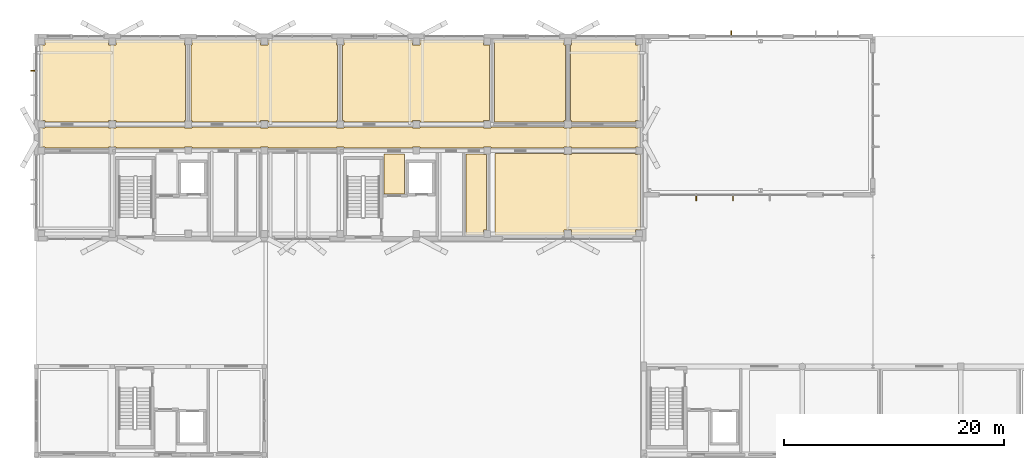
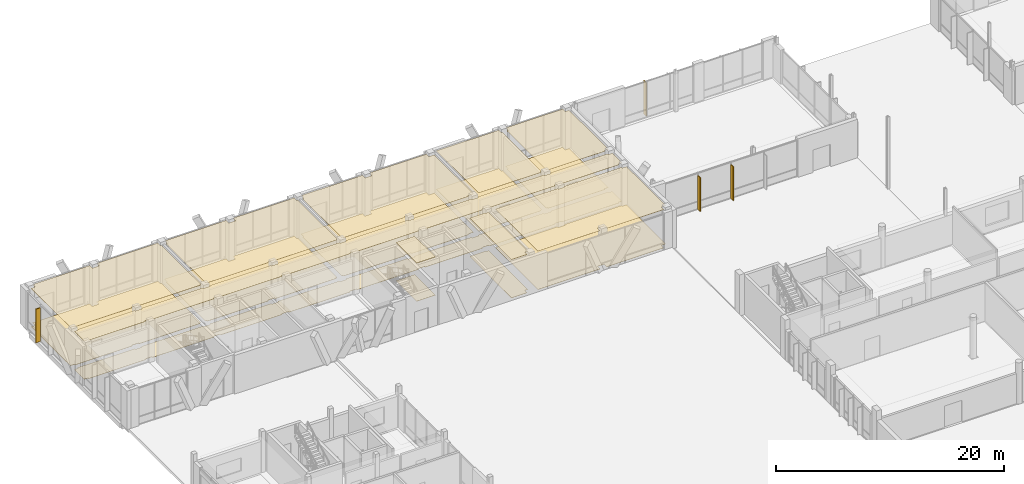
# One storey, part 221 of 233: 18 coverings, 4 shading devices.
"""IFC4 building model written with IfcOpenShell, lengths in metres."""

from ifc_helpers import new_model, si_unit, direction, frame, origin, origin_2d, place, context, subcontext, project, spatial, polyline, rectangle, outline, extrude, material, layer, layer_set, type_object, element, save


model = new_model("IFC4")

# Units and contexts
model_context = context("Model", 3, precision=1e-05, world=origin(), true_north=direction((0.0, 1.0)))
body_context = subcontext(model_context, "Body", "Model", "MODEL_VIEW")
ifc_project = project(units=[si_unit("LENGTHUNIT", "METRE"), si_unit("AREAUNIT", "SQUARE_METRE"), si_unit("VOLUMEUNIT", "CUBIC_METRE"), si_unit("PLANEANGLEUNIT", "RADIAN"), si_unit("MASSUNIT", "GRAM", prefix="KILO")], contexts=[model_context])

# Site, building, storey
site_placement = place(None, origin())
site = spatial("IfcSite", under=ifc_project, at=site_placement, CompositionType="ELEMENT")
building_placement = place(site_placement, origin())
building = spatial("IfcBuilding", under=site, at=building_placement, Name="Zavelmont Quarter", CompositionType="ELEMENT")
storey_placement = place(building_placement, origin())
storey = spatial("IfcBuildingStorey", under=building, at=storey_placement, Name="L00", CompositionType="ELEMENT", Elevation=0.0)

# Coverings
ifc_material_1 = material(Name="Perforated acoustic gypsum board")
ifc_layer_1 = layer(ifc_material_1, 0.02490234375)
ifc_layer_set_1 = layer_set([ifc_layer_1], Name="Perforated acoustic gypsum board")
covering_type_1 = type_object("IfcCoveringType", Name="CV-CL01", PredefinedType="CEILING", material=ifc_layer_set_1)
covering_1_placement = place(storey_placement, frame((0.0, 0.0, 4.094970703125)))
element("IfcCovering", 1, at=covering_1_placement, inside=storey, type_object=covering_type_1, Name="L00 Lobby Vestibule acoustic ceiling", PredefinedType="CEILING", context=body_context, shape_type="SweptSolid", body=[
    extrude(outline(polyline([(31.580078125, 105.320068359375), (33.469970703125, 105.320068359375), (33.469970703125, 101.679931640625), (31.580078125, 101.679931640625), (31.580078125, 105.320068359375)])), origin(), (0.0, 0.0, 1.0), 0.025146484375),
])
covering_2_placement = place(storey_placement, frame((0.0, 0.0, 4.094970703125)))
element("IfcCovering", 2, at=covering_2_placement, inside=storey, type_object=covering_type_1, Name="L00 Refuse Chute Room acoustic ceiling", PredefinedType="CEILING", context=body_context, shape_type="SweptSolid", body=[
    extrude(outline(polyline([(39.030029296875, 105.320068359375), (40.6201171875, 105.320068359375), (40.6201171875, 105.260009765625), (40.919921875, 105.260009765625), (40.919921875, 98.3798828125), (40.6201171875, 98.3798828125), (40.6201171875, 97.97998046875), (39.030029296875, 97.97998046875), (39.030029296875, 105.320068359375)])), origin(), (0.0, 0.0, 1.0), 0.025146484375),
])
covering_3_placement = place(storey_placement, frame((0.0, 0.0, 4.094970703125)))
element("IfcCovering", 3, at=covering_3_placement, inside=storey, type_object=covering_type_1, Name="L00 Entrance Lobby and Corridor acoustic ceiling", PredefinedType="CEILING", context=body_context, shape_type="SweptSolid", body=[
    extrude(outline(polyline([(0.3798828125, 107.659912109375), (0.780029296875, 107.659912109375), (0.780029296875, 107.77001953125), (6.56005859375, 107.77001953125), (6.56005859375, 107.659912109375), (7.239990234375, 107.659912109375), (7.239990234375, 107.77001953125), (13.4599609375, 107.77001953125), (13.4599609375, 107.659912109375), (14.139892578125, 107.659912109375), (14.139892578125, 107.77001953125), (20.360107421875, 107.77001953125), (20.360107421875, 107.659912109375), (21.0400390625, 107.659912109375), (21.0400390625, 107.77001953125), (27.260009765625, 107.77001953125), (27.260009765625, 107.659912109375), (27.93994140625, 107.659912109375), (27.93994140625, 107.77001953125), (34.159912109375, 107.77001953125), (34.159912109375, 107.659912109375), (34.840087890625, 107.659912109375), (34.840087890625, 107.77001953125), (40.6201171875, 107.77001953125), (40.6201171875, 107.659912109375), (41.300048828125, 107.659912109375), (41.300048828125, 107.77001953125), (47.9599609375, 107.77001953125), (47.9599609375, 107.659912109375), (48.639892578125, 107.659912109375), (48.639892578125, 107.77001953125), (54.419921875, 107.77001953125), (54.419921875, 107.659912109375), (54.820068359375, 107.659912109375), (54.820068359375, 105.93994140625), (54.419921875, 105.93994140625), (54.419921875, 105.830078125), (48.639892578125, 105.830078125), (48.639892578125, 105.93994140625), (47.9599609375, 105.93994140625), (47.9599609375, 105.830078125), (41.300048828125, 105.830078125), (41.300048828125, 105.93994140625), (40.6201171875, 105.93994140625), (40.6201171875, 105.830078125), (34.840087890625, 105.830078125), (34.840087890625, 105.93994140625), (34.159912109375, 105.93994140625), (34.159912109375, 105.830078125), (27.93994140625, 105.830078125), (27.93994140625, 105.93994140625), (27.260009765625, 105.93994140625), (27.260009765625, 105.830078125), (21.0400390625, 105.830078125), (21.0400390625, 105.93994140625), (20.360107421875, 105.93994140625), (20.360107421875, 105.830078125), (14.139892578125, 105.830078125), (14.139892578125, 105.93994140625), (13.4599609375, 105.93994140625), (13.4599609375, 105.830078125), (7.239990234375, 105.830078125), (7.239990234375, 105.93994140625), (6.56005859375, 105.93994140625), (6.56005859375, 105.830078125), (0.780029296875, 105.830078125), (0.780029296875, 105.93994140625), (0.3798828125, 105.93994140625), (0.3798828125, 107.659912109375)])), origin(), (0.0, 0.0, 1.0), 0.025146484375),
])
covering_4_placement = place(storey_placement, frame((0.0, 0.0, 4.094970703125)))
element("IfcCovering", 4, at=covering_4_placement, inside=storey, type_object=covering_type_1, Name="L00 Residents Community Room acoustic ceiling", PredefinedType="CEILING", context=body_context, shape_type="SweptSolid", body=[
    extrude(outline(polyline([(14.030029296875, 115.219970703125), (14.139892578125, 115.219970703125), (14.139892578125, 115.669921875), (20.360107421875, 115.669921875), (20.360107421875, 115.219970703125), (21.0400390625, 115.219970703125), (21.0400390625, 115.669921875), (27.260009765625, 115.669921875), (27.260009765625, 115.219970703125), (27.3701171875, 115.219970703125), (27.3701171875, 108.340087890625), (27.260009765625, 108.340087890625), (27.260009765625, 108.22998046875), (21.0400390625, 108.22998046875), (21.0400390625, 108.340087890625), (20.360107421875, 108.340087890625), (20.360107421875, 108.22998046875), (14.139892578125, 108.22998046875), (14.139892578125, 108.340087890625), (14.030029296875, 108.340087890625), (14.030029296875, 115.219970703125)])), origin(), (0.0, 0.0, 1.0), 0.025146484375),
])
covering_5_placement = place(storey_placement, frame((0.0, 0.0, 4.094970703125)))
element("IfcCovering", 5, at=covering_5_placement, inside=storey, type_object=covering_type_1, Name="L00 Pram and Cycle Room acoustic ceiling", PredefinedType="CEILING", context=body_context, shape_type="SweptSolid", body=[
    extrude(outline(polyline([(27.830078125, 115.219970703125), (27.93994140625, 115.219970703125), (27.93994140625, 115.669921875), (34.159912109375, 115.669921875), (34.159912109375, 115.219970703125), (34.840087890625, 115.219970703125), (34.840087890625, 115.669921875), (40.6201171875, 115.669921875), (40.6201171875, 115.219970703125), (41.169921875, 115.219970703125), (41.169921875, 108.340087890625), (40.6201171875, 108.340087890625), (40.6201171875, 108.22998046875), (34.840087890625, 108.22998046875), (34.840087890625, 108.340087890625), (34.159912109375, 108.340087890625), (34.159912109375, 108.22998046875), (27.93994140625, 108.22998046875), (27.93994140625, 108.340087890625), (27.830078125, 108.340087890625), (27.830078125, 115.219970703125)])), origin(), (0.0, 0.0, 1.0), 0.025146484375),
])
covering_6_placement = place(storey_placement, frame((0.0, 0.0, 4.094970703125)))
element("IfcCovering", 6, at=covering_6_placement, inside=storey, type_object=covering_type_1, Name="L00 Refuse and Recycling Room acoustic ceiling", PredefinedType="CEILING", context=body_context, shape_type="SweptSolid", body=[
    extrude(outline(polyline([(41.6298828125, 115.669921875), (47.9599609375, 115.669921875), (47.9599609375, 115.219970703125), (48.070068359375, 115.219970703125), (48.070068359375, 108.340087890625), (47.9599609375, 108.340087890625), (47.9599609375, 108.22998046875), (41.6298828125, 108.22998046875), (41.6298828125, 115.669921875)])), origin(), (0.0, 0.0, 1.0), 0.025146484375),
])
covering_7_placement = place(storey_placement, frame((0.0, 0.0, 4.094970703125)))
element("IfcCovering", 7, at=covering_7_placement, inside=storey, type_object=covering_type_1, Name="L00 Garden Tool and Parcel Room acoustic ceiling", PredefinedType="CEILING", context=body_context, shape_type="SweptSolid", body=[
    extrude(outline(polyline([(41.679931640625, 105.3701171875), (47.9599609375, 105.3701171875), (47.9599609375, 105.260009765625), (48.639892578125, 105.260009765625), (48.639892578125, 105.3701171875), (54.419921875, 105.3701171875), (54.419921875, 105.260009765625), (54.8701171875, 105.260009765625), (54.8701171875, 98.3798828125), (54.419921875, 98.3798828125), (54.419921875, 97.929931640625), (48.639892578125, 97.929931640625), (48.639892578125, 98.3798828125), (47.9599609375, 98.3798828125), (47.9599609375, 97.929931640625), (41.679931640625, 97.929931640625), (41.679931640625, 105.3701171875)])), origin(), (0.0, 0.0, 1.0), 0.025146484375),
])
ifc_material_2 = material(Name="Slatted European ash acoustic baffle ceiling")
ifc_layer_2 = layer(ifc_material_2, 0.0400390625)
ifc_layer_set_2 = layer_set([ifc_layer_2], Name="Slatted European ash acoustic baffle ceiling")
covering_type_2 = type_object("IfcCoveringType", Name="CV-CL02", PredefinedType="CEILING", material=ifc_layer_set_2)
covering_8_placement = place(storey_placement, frame((0.0, 0.0, 4.080078125)))
element("IfcCovering", 8, at=covering_8_placement, inside=storey, type_object=covering_type_2, Name="L00 Block Entrance Foyer acoustic ceiling", PredefinedType="CEILING", context=body_context, shape_type="SweptSolid", body=[
    extrude(outline(polyline([(0.3798828125, 115.219970703125), (0.780029296875, 115.219970703125), (0.780029296875, 115.669921875), (6.56005859375, 115.669921875), (6.56005859375, 115.219970703125), (7.239990234375, 115.219970703125), (7.239990234375, 115.669921875), (13.4599609375, 115.669921875), (13.4599609375, 115.219970703125), (13.570068359375, 115.219970703125), (13.570068359375, 108.340087890625), (13.4599609375, 108.340087890625), (13.4599609375, 108.22998046875), (7.239990234375, 108.22998046875), (7.239990234375, 108.340087890625), (6.56005859375, 108.340087890625), (6.56005859375, 108.22998046875), (0.780029296875, 108.22998046875), (0.780029296875, 108.340087890625), (0.3798828125, 108.340087890625), (0.3798828125, 115.219970703125)])), origin(), (0.0, 0.0, 1.0), 0.0400390625),
])
ifc_material_3 = material(Name="Moisture-resistant painted gypsum ceiling")
ifc_layer_3 = layer(ifc_material_3, 0.02001953125)
ifc_layer_set_3 = layer_set([ifc_layer_3], Name="Moisture-resistant painted gypsum ceiling")
covering_type_3 = type_object("IfcCoveringType", Name="CV-CL04", PredefinedType="CEILING", material=ifc_layer_set_3)
covering_9_placement = place(storey_placement, frame((0.0, 0.0, 4.10009765625)))
element("IfcCovering", 9, at=covering_9_placement, inside=storey, type_object=covering_type_3, Name="L00 Accessible Toilet acoustic ceiling", PredefinedType="CEILING", context=body_context, shape_type="SweptSolid", body=[
    extrude(outline(polyline([(48.530029296875, 115.219970703125), (48.639892578125, 115.219970703125), (48.639892578125, 115.669921875), (54.419921875, 115.669921875), (54.419921875, 115.219970703125), (54.820068359375, 115.219970703125), (54.820068359375, 108.340087890625), (54.419921875, 108.340087890625), (54.419921875, 108.22998046875), (48.639892578125, 108.22998046875), (48.639892578125, 108.340087890625), (48.530029296875, 108.340087890625), (48.530029296875, 115.219970703125)])), origin(), (0.0, 0.0, 1.0), 0.02001953125),
])
ifc_material_4 = material(Name="Engineered European oak parquet")
ifc_layer_4 = layer(ifc_material_4, 0.02197265625)
ifc_layer_set_4 = layer_set([ifc_layer_4], Name="Engineered European oak parquet")
covering_type_4 = type_object("IfcCoveringType", Name="CV-FL01", PredefinedType="FLOORING", material=ifc_layer_set_4)
covering_10_placement = place(storey_placement, origin())
element("IfcCovering", 10, at=covering_10_placement, inside=storey, type_object=covering_type_4, Name="L00 Lobby Vestibule floor finish", PredefinedType="FLOORING", context=body_context, shape_type="SweptSolid", body=[
    extrude(outline(polyline([(31.580078125, 105.320068359375), (33.469970703125, 105.320068359375), (33.469970703125, 101.679931640625), (31.580078125, 101.679931640625), (31.580078125, 105.320068359375)])), origin(), (0.0, 0.0, 1.0), 0.02197265625),
])
covering_11_placement = place(storey_placement, origin())
element("IfcCovering", 11, at=covering_11_placement, inside=storey, type_object=covering_type_4, Name="L00 Refuse Chute Room floor finish", PredefinedType="FLOORING", context=body_context, shape_type="SweptSolid", body=[
    extrude(outline(polyline([(39.030029296875, 105.320068359375), (40.6201171875, 105.320068359375), (40.6201171875, 105.260009765625), (40.919921875, 105.260009765625), (40.919921875, 98.3798828125), (40.6201171875, 98.3798828125), (40.6201171875, 97.97998046875), (39.030029296875, 97.97998046875), (39.030029296875, 105.320068359375)])), origin(), (0.0, 0.0, 1.0), 0.02197265625),
])
covering_12_placement = place(storey_placement, origin())
element("IfcCovering", 12, at=covering_12_placement, inside=storey, type_object=covering_type_4, Name="L00 Entrance Lobby and Corridor floor finish", PredefinedType="FLOORING", context=body_context, shape_type="SweptSolid", body=[
    extrude(outline(polyline([(0.3798828125, 107.659912109375), (0.780029296875, 107.659912109375), (0.780029296875, 107.77001953125), (6.56005859375, 107.77001953125), (6.56005859375, 107.659912109375), (7.239990234375, 107.659912109375), (7.239990234375, 107.77001953125), (13.4599609375, 107.77001953125), (13.4599609375, 107.659912109375), (14.139892578125, 107.659912109375), (14.139892578125, 107.77001953125), (20.360107421875, 107.77001953125), (20.360107421875, 107.659912109375), (21.0400390625, 107.659912109375), (21.0400390625, 107.77001953125), (27.260009765625, 107.77001953125), (27.260009765625, 107.659912109375), (27.93994140625, 107.659912109375), (27.93994140625, 107.77001953125), (34.159912109375, 107.77001953125), (34.159912109375, 107.659912109375), (34.840087890625, 107.659912109375), (34.840087890625, 107.77001953125), (40.6201171875, 107.77001953125), (40.6201171875, 107.659912109375), (41.300048828125, 107.659912109375), (41.300048828125, 107.77001953125), (47.9599609375, 107.77001953125), (47.9599609375, 107.659912109375), (48.639892578125, 107.659912109375), (48.639892578125, 107.77001953125), (54.419921875, 107.77001953125), (54.419921875, 107.659912109375), (54.820068359375, 107.659912109375), (54.820068359375, 105.93994140625), (54.419921875, 105.93994140625), (54.419921875, 105.830078125), (48.639892578125, 105.830078125), (48.639892578125, 105.93994140625), (47.9599609375, 105.93994140625), (47.9599609375, 105.830078125), (41.300048828125, 105.830078125), (41.300048828125, 105.93994140625), (40.6201171875, 105.93994140625), (40.6201171875, 105.830078125), (34.840087890625, 105.830078125), (34.840087890625, 105.93994140625), (34.159912109375, 105.93994140625), (34.159912109375, 105.830078125), (27.93994140625, 105.830078125), (27.93994140625, 105.93994140625), (27.260009765625, 105.93994140625), (27.260009765625, 105.830078125), (21.0400390625, 105.830078125), (21.0400390625, 105.93994140625), (20.360107421875, 105.93994140625), (20.360107421875, 105.830078125), (14.139892578125, 105.830078125), (14.139892578125, 105.93994140625), (13.4599609375, 105.93994140625), (13.4599609375, 105.830078125), (7.239990234375, 105.830078125), (7.239990234375, 105.93994140625), (6.56005859375, 105.93994140625), (6.56005859375, 105.830078125), (0.780029296875, 105.830078125), (0.780029296875, 105.93994140625), (0.3798828125, 105.93994140625), (0.3798828125, 107.659912109375)])), origin(), (0.0, 0.0, 1.0), 0.02197265625),
])
covering_13_placement = place(storey_placement, origin())
element("IfcCovering", 13, at=covering_13_placement, inside=storey, type_object=covering_type_4, Name="L00 Residents Community Room floor finish", PredefinedType="FLOORING", context=body_context, shape_type="SweptSolid", body=[
    extrude(outline(polyline([(14.030029296875, 115.219970703125), (14.139892578125, 115.219970703125), (14.139892578125, 115.669921875), (20.360107421875, 115.669921875), (20.360107421875, 115.219970703125), (21.0400390625, 115.219970703125), (21.0400390625, 115.669921875), (27.260009765625, 115.669921875), (27.260009765625, 115.219970703125), (27.3701171875, 115.219970703125), (27.3701171875, 108.340087890625), (27.260009765625, 108.340087890625), (27.260009765625, 108.22998046875), (21.0400390625, 108.22998046875), (21.0400390625, 108.340087890625), (20.360107421875, 108.340087890625), (20.360107421875, 108.22998046875), (14.139892578125, 108.22998046875), (14.139892578125, 108.340087890625), (14.030029296875, 108.340087890625), (14.030029296875, 115.219970703125)])), origin(), (0.0, 0.0, 1.0), 0.02197265625),
])
covering_14_placement = place(storey_placement, origin())
element("IfcCovering", 14, at=covering_14_placement, inside=storey, type_object=covering_type_4, Name="L00 Pram and Cycle Room floor finish", PredefinedType="FLOORING", context=body_context, shape_type="SweptSolid", body=[
    extrude(outline(polyline([(27.830078125, 115.219970703125), (27.93994140625, 115.219970703125), (27.93994140625, 115.669921875), (34.159912109375, 115.669921875), (34.159912109375, 115.219970703125), (34.840087890625, 115.219970703125), (34.840087890625, 115.669921875), (40.6201171875, 115.669921875), (40.6201171875, 115.219970703125), (41.169921875, 115.219970703125), (41.169921875, 108.340087890625), (40.6201171875, 108.340087890625), (40.6201171875, 108.22998046875), (34.840087890625, 108.22998046875), (34.840087890625, 108.340087890625), (34.159912109375, 108.340087890625), (34.159912109375, 108.22998046875), (27.93994140625, 108.22998046875), (27.93994140625, 108.340087890625), (27.830078125, 108.340087890625), (27.830078125, 115.219970703125)])), origin(), (0.0, 0.0, 1.0), 0.02197265625),
])
covering_15_placement = place(storey_placement, origin())
element("IfcCovering", 15, at=covering_15_placement, inside=storey, type_object=covering_type_4, Name="L00 Refuse and Recycling Room floor finish", PredefinedType="FLOORING", context=body_context, shape_type="SweptSolid", body=[
    extrude(outline(polyline([(41.6298828125, 115.669921875), (47.9599609375, 115.669921875), (47.9599609375, 115.219970703125), (48.070068359375, 115.219970703125), (48.070068359375, 108.340087890625), (47.9599609375, 108.340087890625), (47.9599609375, 108.22998046875), (41.6298828125, 108.22998046875), (41.6298828125, 115.669921875)])), origin(), (0.0, 0.0, 1.0), 0.02197265625),
])
covering_16_placement = place(storey_placement, origin())
element("IfcCovering", 16, at=covering_16_placement, inside=storey, type_object=covering_type_4, Name="L00 Garden Tool and Parcel Room floor finish", PredefinedType="FLOORING", context=body_context, shape_type="SweptSolid", body=[
    extrude(outline(polyline([(41.679931640625, 105.3701171875), (47.9599609375, 105.3701171875), (47.9599609375, 105.260009765625), (48.639892578125, 105.260009765625), (48.639892578125, 105.3701171875), (54.419921875, 105.3701171875), (54.419921875, 105.260009765625), (54.8701171875, 105.260009765625), (54.8701171875, 98.3798828125), (54.419921875, 98.3798828125), (54.419921875, 97.929931640625), (48.639892578125, 97.929931640625), (48.639892578125, 98.3798828125), (47.9599609375, 98.3798828125), (47.9599609375, 97.929931640625), (41.679931640625, 97.929931640625), (41.679931640625, 105.3701171875)])), origin(), (0.0, 0.0, 1.0), 0.02197265625),
])
ifc_material_5 = material(Name="Honed Belgian bluestone tile", Category="masonry")
ifc_layer_5 = layer(ifc_material_5, 0.030029296875)
ifc_layer_set_5 = layer_set([ifc_layer_5], Name="Honed Belgian bluestone tile")
covering_type_5 = type_object("IfcCoveringType", Name="CV-FL02", PredefinedType="FLOORING", material=ifc_layer_set_5)
covering_17_placement = place(storey_placement, origin())
element("IfcCovering", 17, at=covering_17_placement, inside=storey, type_object=covering_type_5, Name="L00 Block Entrance Foyer floor finish", PredefinedType="FLOORING", context=body_context, shape_type="SweptSolid", body=[
    extrude(outline(polyline([(0.3798828125, 115.219970703125), (0.780029296875, 115.219970703125), (0.780029296875, 115.669921875), (6.56005859375, 115.669921875), (6.56005859375, 115.219970703125), (7.239990234375, 115.219970703125), (7.239990234375, 115.669921875), (13.4599609375, 115.669921875), (13.4599609375, 115.219970703125), (13.570068359375, 115.219970703125), (13.570068359375, 108.340087890625), (13.4599609375, 108.340087890625), (13.4599609375, 108.22998046875), (7.239990234375, 108.22998046875), (7.239990234375, 108.340087890625), (6.56005859375, 108.340087890625), (6.56005859375, 108.22998046875), (0.780029296875, 108.22998046875), (0.780029296875, 108.340087890625), (0.3798828125, 108.340087890625), (0.3798828125, 115.219970703125)])), origin(), (0.0, 0.0, 1.0), 0.030029296875),
])
ifc_material_6 = material(Name="Slip-resistant porcelain tile")
ifc_layer_6 = layer(ifc_material_6, 0.02587890625)
ifc_layer_set_6 = layer_set([ifc_layer_6], Name="Slip-resistant porcelain tile")
covering_type_6 = type_object("IfcCoveringType", Name="CV-FL04", PredefinedType="FLOORING", material=ifc_layer_set_6)
covering_18_placement = place(storey_placement, origin())
element("IfcCovering", 18, at=covering_18_placement, inside=storey, type_object=covering_type_6, Name="L00 Accessible Toilet floor finish", PredefinedType="FLOORING", context=body_context, shape_type="SweptSolid", body=[
    extrude(outline(polyline([(48.530029296875, 115.219970703125), (48.639892578125, 115.219970703125), (48.639892578125, 115.669921875), (54.419921875, 115.669921875), (54.419921875, 115.219970703125), (54.820068359375, 115.219970703125), (54.820068359375, 108.340087890625), (54.419921875, 108.340087890625), (54.419921875, 108.22998046875), (48.639892578125, 108.22998046875), (48.639892578125, 108.340087890625), (48.530029296875, 108.340087890625), (48.530029296875, 115.219970703125)])), origin(), (0.0, 0.0, 1.0), 0.02587890625),
])

# Shading devices
ifc_material_7 = material(Name="Anodised aluminium EN AW-6063-T6", Category="aluminium")
shading_device_type = type_object("IfcShadingDeviceType", Name="SD01", PredefinedType="JALOUSIE", material=ifc_material_7)
for number, where, z_axis, x_axis, name in (
    (19, (-0.294921875, 112.86669921875, 0.050048828125), (0.0, 0.0, 1.0), (0.0, 1.0, 0.0), "L00 solar brise-soleil fin SD01"),
    (20, (63.13330078125, 116.294921875, 0.050048828125), (0.0, 0.0, 1.0), (1.0, 0.0, 0.0), "L00 solar brise-soleil fin SD01"),
    (21, (59.949951171875, 101.304931640625, 0.050048828125), (0.0, 0.0, 1.0), (1.0, 0.0, 0.0), "L00 solar brise-soleil fin SD01"),
    (22, (63.300048828125, 101.304931640625, 0.050048828125), (0.0, 0.0, 1.0), (1.0, 0.0, 0.0), "L00 solar brise-soleil fin SD01"),
):
    element("IfcShadingDevice", number, at=place(storey_placement, frame(where, z_axis=z_axis, x_axis=x_axis)), inside=storey, type_object=shading_device_type, Name=name, PredefinedType="JALOUSIE", context=body_context, shape_type="SweptSolid", body=[
        extrude(rectangle(XDim=0.080078125, YDim=0.449951171875, at=origin_2d()), origin(), (0.0, 0.0, 1.0), 3.60009765625),
    ])

save(model, "model.ifc")
